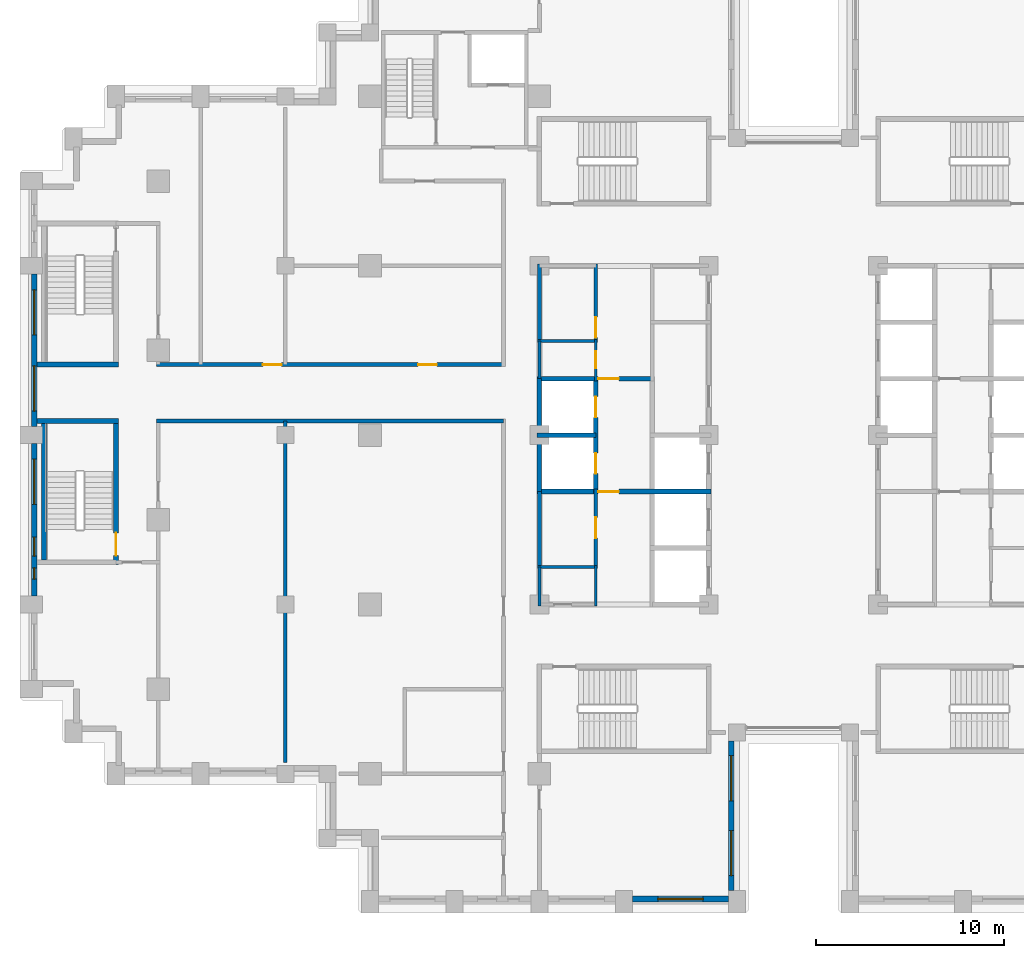
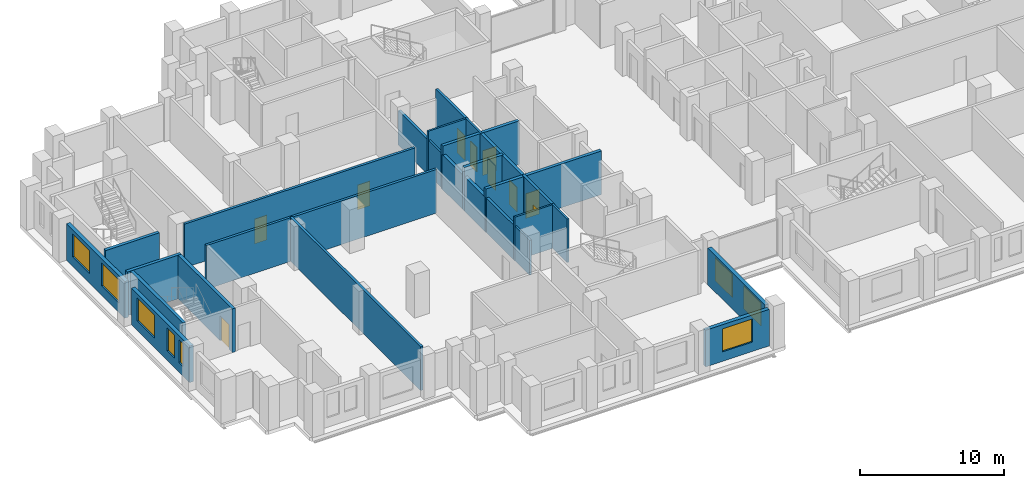
# One storey, part 7 of 16: 26 walls, 10 doors, 8 windows, 18 openings.
"""IFC4 building model written with IfcOpenShell, lengths in metres."""

from ifc_helpers import new_model, si_unit, direction, frame, frame_2d, origin, place, context, subcontext, project, spatial, rectangle, extrude, material, layer, layer_set, type_object, element, fill, save


model = new_model("IFC4")

# Units and contexts
model_context = context("Model", 3, precision=1e-05, world=origin(), true_north=direction((0.0, 1.0)))
body_context = subcontext(model_context, "Body", "Model", "MODEL_VIEW")
ifc_project = project(units=[si_unit("LENGTHUNIT", "METRE"), si_unit("AREAUNIT", "SQUARE_METRE"), si_unit("VOLUMEUNIT", "CUBIC_METRE"), si_unit("PLANEANGLEUNIT", "RADIAN"), si_unit("MASSUNIT", "GRAM", prefix="KILO")], contexts=[model_context])

# Site, building, storey
site_placement = place(None, origin())
site = spatial("IfcSite", under=ifc_project, at=site_placement, CompositionType="ELEMENT")
building_placement = place(site_placement, origin())
building = spatial("IfcBuilding", under=site, at=building_placement, Name="Corbelhall Arena Tower", CompositionType="ELEMENT")
storey_placement = place(building_placement, frame((0.0, 0.0, 76.0)))
storey = spatial("IfcBuildingStorey", under=building, at=storey_placement, Name="L11", CompositionType="ELEMENT", Elevation=76.0)

# Wall, openings, windows
ifc_material_1 = material(Name="Precast concrete C40/50 with granite facing", Category="masonry")
ifc_layer_1 = layer(ifc_material_1, 0.300048828125)
ifc_layer_set_1 = layer_set([ifc_layer_1], Name="EV-IW1 Infill panel 300")
wall_type_1 = type_object("IfcWallType", Name="EV-IW1 Infill panel 300", PredefinedType="SOLIDWALL", material=ifc_layer_set_1)
wall_1_placement = place(storey_placement, frame((-40.35009765625, 8.550048828125, 0.0), z_axis=(0.0, 0.0, 1.0), x_axis=(0.0, -1.0, 0.0)))
wall_1 = element("IfcWall", 1, at=wall_1_placement, inside=storey, type_object=wall_type_1, Name="Infill panel IW1", PredefinedType="SOLIDWALL", context=body_context, shape_type="SweptSolid", body=[
    extrude(rectangle(XDim=8.10009765625, YDim=0.300048828125, at=frame_2d((4.050048828125, 0.0))), origin(), (0.0, 0.0, 1.0), 3.10009765625),
])
opening_1_placement = place(wall_1_placement, frame((0.824951171875, 0.0, 0.800048828125)))
opening_1 = element("IfcOpeningElement", 2, at=opening_1_placement, cuts=wall_1, Name="Opening WN1", PredefinedType="OPENING", context=body_context, shape_type="SweptSolid", body=[
    extrude(rectangle(XDim=2.39990234375, YDim=1.949951171875, at=frame_2d((1.199951171875, 0.97509765625))), frame((0.0, 0.14990234375, 0.0), z_axis=(0.0, -1.0, 0.0), x_axis=(1.0, 0.0, 0.0)), (0.0, 0.0, 1.0), 0.300048828125),
])
opening_2_placement = place(wall_1_placement, frame((4.875, 0.0, 0.800048828125)))
opening_2 = element("IfcOpeningElement", 3, at=opening_2_placement, cuts=wall_1, Name="Opening WN1", PredefinedType="OPENING", context=body_context, shape_type="SweptSolid", body=[
    extrude(rectangle(XDim=2.39990234375, YDim=1.949951171875, at=frame_2d((1.199951171875, 0.97509765625))), frame((0.0, 0.14990234375, 0.0), z_axis=(0.0, -1.0, 0.0), x_axis=(1.0, 0.0, 0.0)), (0.0, 0.0, 1.0), 0.300048828125),
])
ifc_material_2 = material(Name="Aluminium black anodised", Category="aluminium")
window_type_1 = type_object("IfcWindowType", Name="EV-WN1 Office window", PartitioningType="SINGLE_PANEL", PredefinedType="WINDOW", material=ifc_material_2)
window_1_placement = place(opening_1_placement, origin())
window_1 = element("IfcWindow", 4, at=window_1_placement, inside=storey, type_object=window_type_1, Name="Window WN1", OverallHeight=1.949951171875, OverallWidth=2.39990234375, PartitioningType="SINGLE_PANEL", PredefinedType="WINDOW", context=body_context, shape_type="SweptSolid", body=[
    extrude(rectangle(XDim=2.39990234375, YDim=1.949951171875, at=frame_2d((1.199951171875, 0.97509765625))), frame((0.0, 0.030029296875, 0.0), z_axis=(0.0, -1.0, 0.0), x_axis=(1.0, 0.0, 0.0)), (0.0, 0.0, 1.0), 0.06005859375),
])
fill(opening_1, window_1)
window_2_placement = place(opening_2_placement, origin())
window_2 = element("IfcWindow", 5, at=window_2_placement, inside=storey, type_object=window_type_1, Name="Window WN1", OverallHeight=1.949951171875, OverallWidth=2.39990234375, PartitioningType="SINGLE_PANEL", PredefinedType="WINDOW", context=body_context, shape_type="SweptSolid", body=[
    extrude(rectangle(XDim=2.39990234375, YDim=1.949951171875, at=frame_2d((1.199951171875, 0.97509765625))), frame((0.0, 0.030029296875, 0.0), z_axis=(0.0, -1.0, 0.0), x_axis=(1.0, 0.0, 0.0)), (0.0, 0.0, 1.0), 0.06005859375),
])
fill(opening_2, window_2)

wall_2_placement = place(storey_placement, frame((-40.35009765625, -0.449951171875, 0.0), z_axis=(0.0, 0.0, 1.0), x_axis=(0.0, -1.0, 0.0)))
wall_2 = element("IfcWall", 6, at=wall_2_placement, inside=storey, type_object=wall_type_1, Name="Infill panel IW1", PredefinedType="SOLIDWALL", context=body_context, shape_type="SweptSolid", body=[
    extrude(rectangle(XDim=8.10009765625, YDim=0.300048828125, at=frame_2d((4.050048828125, 0.0))), origin(), (0.0, 0.0, 1.0), 3.10009765625),
])
opening_3_placement = place(wall_2_placement, frame((0.824951171875, 0.0, 0.800048828125)))
opening_3 = element("IfcOpeningElement", 7, at=opening_3_placement, cuts=wall_2, Name="Opening WN1", PredefinedType="OPENING", context=body_context, shape_type="SweptSolid", body=[
    extrude(rectangle(XDim=2.39990234375, YDim=1.949951171875, at=frame_2d((1.199951171875, 0.97509765625))), frame((0.0, 0.14990234375, 0.0), z_axis=(0.0, -1.0, 0.0), x_axis=(1.0, 0.0, 0.0)), (0.0, 0.0, 1.0), 0.300048828125),
])
opening_4_placement = place(wall_2_placement, frame((4.97509765625, 0.0, 0.800048828125)))
opening_4 = element("IfcOpeningElement", 8, at=opening_4_placement, cuts=wall_2, Name="Opening WN6", PredefinedType="OPENING", context=body_context, shape_type="SweptSolid", body=[
    extrude(rectangle(XDim=1.0, YDim=1.949951171875, at=frame_2d((0.5, 0.97509765625))), frame((0.0, 0.14990234375, 0.0), z_axis=(0.0, -1.0, 0.0), x_axis=(1.0, 0.0, 0.0)), (0.0, 0.0, 1.0), 0.300048828125),
])
opening_5_placement = place(wall_2_placement, frame((6.60009765625, 0.0, 0.800048828125)))
opening_5 = element("IfcOpeningElement", 9, at=opening_5_placement, cuts=wall_2, Name="Opening WN5", PredefinedType="OPENING", context=body_context, shape_type="SweptSolid", body=[
    extrude(rectangle(XDim=0.60009765625, YDim=1.949951171875, at=frame_2d((0.300048828125, 0.97509765625))), frame((0.0, 0.14990234375, 0.0), z_axis=(0.0, -1.0, 0.0), x_axis=(1.0, 0.0, 0.0)), (0.0, 0.0, 1.0), 0.300048828125),
])
window_3_placement = place(opening_3_placement, origin())
window_3 = element("IfcWindow", 10, at=window_3_placement, inside=storey, type_object=window_type_1, Name="Window WN1", OverallHeight=1.949951171875, OverallWidth=2.39990234375, PartitioningType="SINGLE_PANEL", PredefinedType="WINDOW", context=body_context, shape_type="SweptSolid", body=[
    extrude(rectangle(XDim=2.39990234375, YDim=1.949951171875, at=frame_2d((1.199951171875, 0.97509765625))), frame((0.0, 0.030029296875, 0.0), z_axis=(0.0, -1.0, 0.0), x_axis=(1.0, 0.0, 0.0)), (0.0, 0.0, 1.0), 0.06005859375),
])
fill(opening_3, window_3)
window_type_2 = type_object("IfcWindowType", Name="EV-WN5 Office window 600", PartitioningType="SINGLE_PANEL", PredefinedType="WINDOW", material=ifc_material_2)
window_4_placement = place(opening_5_placement, origin())
window_4 = element("IfcWindow", 11, at=window_4_placement, inside=storey, type_object=window_type_2, Name="Window WN5", OverallHeight=1.949951171875, OverallWidth=0.60009765625, PartitioningType="SINGLE_PANEL", PredefinedType="WINDOW", context=body_context, shape_type="SweptSolid", body=[
    extrude(rectangle(XDim=0.60009765625, YDim=1.949951171875, at=frame_2d((0.300048828125, 0.97509765625))), frame((0.0, 0.030029296875, 0.0), z_axis=(0.0, -1.0, 0.0), x_axis=(1.0, 0.0, 0.0)), (0.0, 0.0, 1.0), 0.06005859375),
])
fill(opening_5, window_4)
window_type_3 = type_object("IfcWindowType", Name="EV-WN6 Office window 1000", PartitioningType="SINGLE_PANEL", PredefinedType="WINDOW", material=ifc_material_2)
window_5_placement = place(opening_4_placement, origin())
window_5 = element("IfcWindow", 12, at=window_5_placement, inside=storey, type_object=window_type_3, Name="Window WN6", OverallHeight=1.949951171875, OverallWidth=1.0, PartitioningType="SINGLE_PANEL", PredefinedType="WINDOW", context=body_context, shape_type="SweptSolid", body=[
    extrude(rectangle(XDim=1.0, YDim=1.949951171875, at=frame_2d((0.5, 0.97509765625))), frame((0.0, 0.030029296875, 0.0), z_axis=(0.0, -1.0, 0.0), x_axis=(1.0, 0.0, 0.0)), (0.0, 0.0, 1.0), 0.06005859375),
])
fill(opening_4, window_5)

# Wall, opening, window
wall_3_placement = place(storey_placement, frame((-8.550048828125, -24.64990234375, 0.0), z_axis=(0.0, 0.0, 1.0), x_axis=(1.0, 0.0, 0.0)))
wall_3 = element("IfcWall", 13, at=wall_3_placement, inside=storey, type_object=wall_type_1, Name="Infill panel IW1", PredefinedType="SOLIDWALL", context=body_context, shape_type="SweptSolid", body=[
    extrude(rectangle(XDim=5.10009765625, YDim=0.300048828125, at=frame_2d((2.550048828125, 0.0))), origin(), (0.0, 0.0, 1.0), 3.10009765625),
])
opening_6_placement = place(wall_3_placement, frame((1.35009765625, 0.0, 0.800048828125)))
opening_6 = element("IfcOpeningElement", 14, at=opening_6_placement, cuts=wall_3, Name="Opening WN1", PredefinedType="OPENING", context=body_context, shape_type="SweptSolid", body=[
    extrude(rectangle(XDim=2.39990234375, YDim=1.949951171875, at=frame_2d((1.199951171875, 0.97509765625))), frame((0.0, 0.14990234375, 0.0), z_axis=(0.0, -1.0, 0.0), x_axis=(1.0, 0.0, 0.0)), (0.0, 0.0, 1.0), 0.300048828125),
])
window_6_placement = place(opening_6_placement, origin())
window_6 = element("IfcWindow", 15, at=window_6_placement, inside=storey, type_object=window_type_1, Name="Window WN1", OverallHeight=1.949951171875, OverallWidth=2.39990234375, PartitioningType="SINGLE_PANEL", PredefinedType="WINDOW", context=body_context, shape_type="SweptSolid", body=[
    extrude(rectangle(XDim=2.39990234375, YDim=1.949951171875, at=frame_2d((1.199951171875, 0.97509765625))), frame((0.0, 0.030029296875, 0.0), z_axis=(0.0, -1.0, 0.0), x_axis=(1.0, 0.0, 0.0)), (0.0, 0.0, 1.0), 0.06005859375),
])
fill(opening_6, window_6)

# Wall, openings, windows
wall_4_placement = place(storey_placement, frame((-3.300048828125, -24.199951171875, 0.0), z_axis=(0.0, 0.0, 1.0), x_axis=(0.0, 1.0, 0.0)))
wall_4 = element("IfcWall", 16, at=wall_4_placement, inside=storey, type_object=wall_type_1, Name="Infill panel IW1", PredefinedType="SOLIDWALL", context=body_context, shape_type="SweptSolid", body=[
    extrude(rectangle(XDim=7.949951171875, YDim=0.300048828125, at=frame_2d((3.97509765625, 0.0))), origin(), (0.0, 0.0, 1.0), 3.10009765625),
])
opening_7_placement = place(wall_4_placement, frame((0.78759765625, 0.0, 0.800048828125)))
opening_7 = element("IfcOpeningElement", 17, at=opening_7_placement, cuts=wall_4, Name="Opening WN1", PredefinedType="OPENING", context=body_context, shape_type="SweptSolid", body=[
    extrude(rectangle(XDim=2.39990234375, YDim=1.949951171875, at=frame_2d((1.199951171875, 0.97509765625))), frame((0.0, 0.14990234375, 0.0), z_axis=(0.0, -1.0, 0.0), x_axis=(1.0, 0.0, 0.0)), (0.0, 0.0, 1.0), 0.300048828125),
])
opening_8_placement = place(wall_4_placement, frame((4.762451171875, 0.0, 0.800048828125)))
opening_8 = element("IfcOpeningElement", 18, at=opening_8_placement, cuts=wall_4, Name="Opening WN1", PredefinedType="OPENING", context=body_context, shape_type="SweptSolid", body=[
    extrude(rectangle(XDim=2.39990234375, YDim=1.949951171875, at=frame_2d((1.199951171875, 0.97509765625))), frame((0.0, 0.14990234375, 0.0), z_axis=(0.0, -1.0, 0.0), x_axis=(1.0, 0.0, 0.0)), (0.0, 0.0, 1.0), 0.300048828125),
])
window_7_placement = place(opening_7_placement, origin())
window_7 = element("IfcWindow", 19, at=window_7_placement, inside=storey, type_object=window_type_1, Name="Window WN1", OverallHeight=1.949951171875, OverallWidth=2.39990234375, PartitioningType="SINGLE_PANEL", PredefinedType="WINDOW", context=body_context, shape_type="SweptSolid", body=[
    extrude(rectangle(XDim=2.39990234375, YDim=1.949951171875, at=frame_2d((1.199951171875, 0.97509765625))), frame((0.0, 0.030029296875, 0.0), z_axis=(0.0, -1.0, 0.0), x_axis=(1.0, 0.0, 0.0)), (0.0, 0.0, 1.0), 0.06005859375),
])
fill(opening_7, window_7)
window_8_placement = place(opening_8_placement, origin())
window_8 = element("IfcWindow", 20, at=window_8_placement, inside=storey, type_object=window_type_1, Name="Window WN1", OverallHeight=1.949951171875, OverallWidth=2.39990234375, PartitioningType="SINGLE_PANEL", PredefinedType="WINDOW", context=body_context, shape_type="SweptSolid", body=[
    extrude(rectangle(XDim=2.39990234375, YDim=1.949951171875, at=frame_2d((1.199951171875, 0.97509765625))), frame((0.0, 0.030029296875, 0.0), z_axis=(0.0, -1.0, 0.0), x_axis=(1.0, 0.0, 0.0)), (0.0, 0.0, 1.0), 0.06005859375),
])
fill(opening_8, window_8)

# Wall, openings, doors
ifc_material_3 = material(Name="Gypsum board on steel stud, acoustic", Category="steel")
ifc_layer_2 = layer(ifc_material_3, 0.199951171875)
ifc_layer_set_2 = layer_set([ifc_layer_2], Name="IN-W-DM200")
wall_type_2 = type_object("IfcWallType", Name="IN-W-DM200", PredefinedType="PARTITIONING", material=ifc_layer_set_2)
wall_5_placement = place(storey_placement, frame((-33.85009765625, 3.75, 0.0), z_axis=(0.0, 0.0, 1.0), x_axis=(1.0, 0.0, 0.0)))
wall_5 = element("IfcWall", 21, at=wall_5_placement, inside=storey, type_object=wall_type_2, Name="Partition 002", PredefinedType="PARTITIONING", context=body_context, shape_type="SweptSolid", body=[
    extrude(rectangle(XDim=18.4501953125, YDim=0.199951171875, at=frame_2d((9.22509765625, 0.0))), origin(), (0.0, 0.0, 1.0), 3.699951171875),
])
opening_9_placement = place(wall_5_placement, frame((13.89990234375, 0.0, 0.0)))
opening_9 = element("IfcOpeningElement", 22, at=opening_9_placement, cuts=wall_5, Name="Opening 01027", PredefinedType="OPENING", context=body_context, shape_type="SweptSolid", body=[
    extrude(rectangle(XDim=1.0, YDim=2.10009765625, at=frame_2d((0.5, 1.050048828125))), frame((0.0, 0.10009765625, 0.0), z_axis=(0.0, -1.0, 0.0), x_axis=(1.0, 0.0, 0.0)), (0.0, 0.0, 1.0), 0.199951171875),
])
opening_10_placement = place(wall_5_placement, frame((5.64990234375, 0.0, 0.0)))
opening_10 = element("IfcOpeningElement", 23, at=opening_10_placement, cuts=wall_5, Name="Opening 01041", PredefinedType="OPENING", context=body_context, shape_type="SweptSolid", body=[
    extrude(rectangle(XDim=1.0, YDim=2.10009765625, at=frame_2d((0.5, 1.050048828125))), frame((0.0, 0.10009765625, 0.0), z_axis=(0.0, -1.0, 0.0), x_axis=(1.0, 0.0, 0.0)), (0.0, 0.0, 1.0), 0.199951171875),
])
ifc_material_4 = material(Name="Steel door set", Category="steel")
door_type_1 = type_object("IfcDoorType", Name="IN-D-SW100", OperationType="NOTDEFINED", PredefinedType="DOOR", material=ifc_material_4)
door_1_placement = place(opening_9_placement, origin())
door_1 = element("IfcDoor", 24, at=door_1_placement, inside=storey, type_object=door_type_1, Name="Door 027", OperationType="SINGLE_SWING_RIGHT", OverallHeight=2.10009765625, OverallWidth=1.0, PredefinedType="DOOR", context=body_context, shape_type="SweptSolid", body=[
    extrude(rectangle(XDim=1.0, YDim=2.10009765625, at=frame_2d((0.5, 1.050048828125))), frame((0.0, 0.02490234375, 0.0), z_axis=(0.0, -1.0, 0.0), x_axis=(1.0, 0.0, 0.0)), (0.0, 0.0, 1.0), 0.050048828125),
])
fill(opening_9, door_1)
door_2_placement = place(opening_10_placement, origin())
door_2 = element("IfcDoor", 25, at=door_2_placement, inside=storey, type_object=door_type_1, Name="Door 041", OperationType="SINGLE_SWING_RIGHT", OverallHeight=2.10009765625, OverallWidth=1.0, PredefinedType="DOOR", context=body_context, shape_type="SweptSolid", body=[
    extrude(rectangle(XDim=1.0, YDim=2.10009765625, at=frame_2d((0.5, 1.050048828125))), frame((0.0, 0.02490234375, 0.0), z_axis=(0.0, -1.0, 0.0), x_axis=(1.0, 0.0, 0.0)), (0.0, 0.0, 1.0), 0.050048828125),
])
fill(opening_10, door_2)

# Walls
wall_6_placement = place(storey_placement, frame((-27.0, -17.39990234375, 0.0), z_axis=(0.0, 0.0, 1.0), x_axis=(0.0, 1.0, 0.0)))
element("IfcWall", 26, at=wall_6_placement, inside=storey, type_object=wall_type_2, Name="Partition 008", PredefinedType="PARTITIONING", context=body_context, shape_type="SweptSolid", body=[
    extrude(rectangle(XDim=18.14990234375, YDim=0.199951171875, at=frame_2d((9.074951171875, 0.0))), origin(), (0.0, 0.0, 1.0), 3.699951171875),
])
wall_7_placement = place(storey_placement, frame((-15.39990234375, 0.75, 0.0), z_axis=(0.0, 0.0, 1.0), x_axis=(-1.0, 0.0, 0.0)))
element("IfcWall", 27, at=wall_7_placement, inside=storey, type_object=wall_type_2, Name="Partition 010", PredefinedType="PARTITIONING", context=body_context, shape_type="SweptSolid", body=[
    extrude(rectangle(XDim=18.4501953125, YDim=0.199951171875, at=frame_2d((9.22509765625, 0.0))), origin(), (0.0, 0.0, 1.0), 3.699951171875),
])

# Wall, opening, door
ifc_material_5 = material(Name="Concrete block wall", Category="concrete")
ifc_layer_3 = layer(ifc_material_5, 0.199951171875)
ifc_layer_set_3 = layer_set([ifc_layer_3], Name="IN-W-RS200")
wall_type_3 = type_object("IfcWallType", Name="IN-W-RS200", PredefinedType="SOLIDWALL", material=ifc_layer_set_3)
wall_8_placement = place(storey_placement, frame((-10.5, -7.074951171875, 0.0), z_axis=(0.0, 0.0, 1.0), x_axis=(0.0, 1.0, 0.0)))
wall_8 = element("IfcWall", 28, at=wall_8_placement, inside=storey, type_object=wall_type_3, Name="Partition 047", PredefinedType="SOLIDWALL", context=body_context, shape_type="SweptSolid", body=[
    extrude(rectangle(XDim=4.199951171875, YDim=0.199951171875, at=frame_2d((2.10009765625, 0.0))), origin(), (0.0, 0.0, 1.0), 3.699951171875),
])
opening_11_placement = place(wall_8_placement, frame((1.60009765625, 0.0, 0.0)))
opening_11 = element("IfcOpeningElement", 29, at=opening_11_placement, cuts=wall_8, Name="Opening 01006", PredefinedType="OPENING", context=body_context, shape_type="SweptSolid", body=[
    extrude(rectangle(XDim=1.10009765625, YDim=2.10009765625, at=frame_2d((0.550048828125, 1.050048828125))), frame((0.0, 0.10009765625, 0.0), z_axis=(0.0, -1.0, 0.0), x_axis=(1.0, 0.0, 0.0)), (0.0, 0.0, 1.0), 0.199951171875),
])
door_type_2 = type_object("IfcDoorType", Name="IN-D-FD110", OperationType="NOTDEFINED", PredefinedType="DOOR", material=ifc_material_4)
door_3_placement = place(opening_11_placement, origin())
door_3 = element("IfcDoor", 30, at=door_3_placement, inside=storey, type_object=door_type_2, Name="Door 006", OperationType="SINGLE_SWING_LEFT", OverallHeight=2.10009765625, OverallWidth=1.10009765625, PredefinedType="DOOR", context=body_context, shape_type="SweptSolid", body=[
    extrude(rectangle(XDim=1.10009765625, YDim=2.10009765625, at=frame_2d((0.550048828125, 1.050048828125))), frame((0.0, 0.02490234375, 0.0), z_axis=(0.0, -1.0, 0.0), x_axis=(1.0, 0.0, 0.0)), (0.0, 0.0, 1.0), 0.050048828125),
])
fill(opening_11, door_3)

wall_9_placement = place(storey_placement, frame((-10.5, 4.925048828125, 0.0), z_axis=(0.0, 0.0, 1.0), x_axis=(0.0, 1.0, 0.0)))
wall_9 = element("IfcWall", 31, at=wall_9_placement, inside=storey, type_object=wall_type_3, Name="Partition 048", PredefinedType="SOLIDWALL", context=body_context, shape_type="SweptSolid", body=[
    extrude(rectangle(XDim=4.175048828125, YDim=0.199951171875, at=frame_2d((2.08740234375, 0.0))), origin(), (0.0, 0.0, 1.0), 3.699951171875),
])
opening_12_placement = place(wall_9_placement, frame((0.25, 0.0, 0.0)))
opening_12 = element("IfcOpeningElement", 32, at=opening_12_placement, cuts=wall_9, Name="Opening 01007", PredefinedType="OPENING", context=body_context, shape_type="SweptSolid", body=[
    extrude(rectangle(XDim=1.10009765625, YDim=2.10009765625, at=frame_2d((0.550048828125, 1.050048828125))), frame((0.0, 0.10009765625, 0.0), z_axis=(0.0, -1.0, 0.0), x_axis=(1.0, 0.0, 0.0)), (0.0, 0.0, 1.0), 0.199951171875),
])
door_4_placement = place(opening_12_placement, origin())
door_4 = element("IfcDoor", 33, at=door_4_placement, inside=storey, type_object=door_type_2, Name="Door 007", OperationType="SINGLE_SWING_RIGHT", OverallHeight=2.10009765625, OverallWidth=1.10009765625, PredefinedType="DOOR", context=body_context, shape_type="SweptSolid", body=[
    extrude(rectangle(XDim=1.10009765625, YDim=2.10009765625, at=frame_2d((0.550048828125, 1.050048828125))), frame((0.0, 0.02490234375, 0.0), z_axis=(0.0, -1.0, 0.0), x_axis=(1.0, 0.0, 0.0)), (0.0, 0.0, 1.0), 0.050048828125),
])
fill(opening_12, door_4)

# Walls
ifc_layer_4 = layer(ifc_material_5, 0.199951171875)
ifc_layer_set_4 = layer_set([ifc_layer_4], Name="IN-W-RS200 under beam 762 mm")
wall_type_4 = type_object("IfcWallType", Name="IN-W-RS200 under beam 762 mm", PredefinedType="SOLIDWALL", material=ifc_layer_set_4)
wall_10_placement = place(storey_placement, frame((-13.5, -7.0, 0.0), z_axis=(0.0, 0.0, 1.0), x_axis=(0.0, 1.0, 0.0)))
element("IfcWall", 34, at=wall_10_placement, inside=storey, type_object=wall_type_4, Name="Partition 044", PredefinedType="SOLIDWALL", context=body_context, shape_type="SweptSolid", body=[
    extrude(rectangle(XDim=4.0, YDim=0.199951171875, at=frame_2d((2.0, 0.0))), origin(), (0.0, 0.0, 1.0), 2.93798828125),
])
wall_11_placement = place(storey_placement, frame((-13.5, 5.0, 0.0), z_axis=(0.0, 0.0, 1.0), x_axis=(0.0, 1.0, 0.0)))
element("IfcWall", 35, at=wall_11_placement, inside=storey, type_object=wall_type_4, Name="Partition 045", PredefinedType="SOLIDWALL", context=body_context, shape_type="SweptSolid", body=[
    extrude(rectangle(XDim=4.10009765625, YDim=0.199951171875, at=frame_2d((2.050048828125, 0.0))), origin(), (0.0, 0.0, 1.0), 2.93798828125),
])
ifc_material_6 = material(Name="Concrete C40/50", Category="concrete")
ifc_layer_5 = layer(ifc_material_6, 0.25)
ifc_layer_set_5 = layer_set([ifc_layer_5], Name="IN-W-SH250")
wall_type_5 = type_object("IfcWallType", Name="IN-W-SH250", PredefinedType="SOLIDWALL", material=ifc_layer_set_5)
wall_12_placement = place(storey_placement, frame((-13.625, 0.0, 0.0), z_axis=(0.0, 0.0, 1.0), x_axis=(1.0, 0.0, 0.0)))
element("IfcWall", 36, at=wall_12_placement, inside=storey, type_object=wall_type_5, Name="Shaft wall 062", PredefinedType="SOLIDWALL", context=body_context, shape_type="SweptSolid", body=[
    extrude(rectangle(XDim=3.125, YDim=0.25, at=frame_2d((1.5625, 0.0))), origin(), (0.0, 0.0, 1.0), 3.699951171875),
])

# Wall, opening, door
wall_13_placement = place(storey_placement, frame((-13.625, 3.0, 0.0), z_axis=(0.0, 0.0, 1.0), x_axis=(1.0, 0.0, 0.0)))
wall_13 = element("IfcWall", 37, at=wall_13_placement, inside=storey, type_object=wall_type_5, Name="Shaft wall 063", PredefinedType="SOLIDWALL", context=body_context, shape_type="SweptSolid", body=[
    extrude(rectangle(XDim=6.125, YDim=0.25, at=frame_2d((3.0625, 0.0))), origin(), (0.0, 0.0, 1.0), 3.699951171875),
])
opening_13_placement = place(wall_13_placement, frame((3.25, 0.0, 0.0)))
opening_13 = element("IfcOpeningElement", 38, at=opening_13_placement, cuts=wall_13, Name="Opening 01004", PredefinedType="OPENING", context=body_context, shape_type="SweptSolid", body=[
    extrude(rectangle(XDim=1.10009765625, YDim=2.10009765625, at=frame_2d((0.550048828125, 1.050048828125))), frame((0.0, 0.125, 0.0), z_axis=(0.0, -1.0, 0.0), x_axis=(1.0, 0.0, 0.0)), (0.0, 0.0, 1.0), 0.25),
])
door_5_placement = place(opening_13_placement, origin())
door_5 = element("IfcDoor", 39, at=door_5_placement, inside=storey, type_object=door_type_2, Name="Door 004", OperationType="SINGLE_SWING_LEFT", OverallHeight=2.10009765625, OverallWidth=1.10009765625, PredefinedType="DOOR", context=body_context, shape_type="SweptSolid", body=[
    extrude(rectangle(XDim=1.10009765625, YDim=2.10009765625, at=frame_2d((0.550048828125, 1.050048828125))), frame((0.0, 0.02490234375, 0.0), z_axis=(0.0, -1.0, 0.0), x_axis=(1.0, 0.0, 0.0)), (0.0, 0.0, 1.0), 0.050048828125),
])
fill(opening_13, door_5)

wall_14_placement = place(storey_placement, frame((-13.625, -3.0, 0.0), z_axis=(0.0, 0.0, 1.0), x_axis=(1.0, 0.0, 0.0)))
wall_14 = element("IfcWall", 40, at=wall_14_placement, inside=storey, type_object=wall_type_5, Name="Shaft wall 065", PredefinedType="SOLIDWALL", context=body_context, shape_type="SweptSolid", body=[
    extrude(rectangle(XDim=9.25, YDim=0.25, at=frame_2d((4.625, 0.0))), origin(), (0.0, 0.0, 1.0), 3.699951171875),
])
opening_14_placement = place(wall_14_placement, frame((3.25, 0.0, 0.0)))
opening_14 = element("IfcOpeningElement", 41, at=opening_14_placement, cuts=wall_14, Name="Opening 01003", PredefinedType="OPENING", context=body_context, shape_type="SweptSolid", body=[
    extrude(rectangle(XDim=1.10009765625, YDim=2.10009765625, at=frame_2d((0.550048828125, 1.050048828125))), frame((0.0, 0.125, 0.0), z_axis=(0.0, -1.0, 0.0), x_axis=(1.0, 0.0, 0.0)), (0.0, 0.0, 1.0), 0.25),
])
door_6_placement = place(opening_14_placement, origin())
door_6 = element("IfcDoor", 42, at=door_6_placement, inside=storey, type_object=door_type_2, Name="Door 003", OperationType="SINGLE_SWING_RIGHT", OverallHeight=2.10009765625, OverallWidth=1.10009765625, PredefinedType="DOOR", context=body_context, shape_type="SweptSolid", body=[
    extrude(rectangle(XDim=1.10009765625, YDim=2.10009765625, at=frame_2d((0.550048828125, 1.050048828125))), frame((0.0, 0.02490234375, 0.0), z_axis=(0.0, -1.0, 0.0), x_axis=(1.0, 0.0, 0.0)), (0.0, 0.0, 1.0), 0.050048828125),
])
fill(opening_14, door_6)

# Wall, openings, doors
wall_15_placement = place(storey_placement, frame((-10.5, -3.125, 0.0), z_axis=(0.0, 0.0, 1.0), x_axis=(0.0, 1.0, 0.0)))
wall_15 = element("IfcWall", 43, at=wall_15_placement, inside=storey, type_object=wall_type_5, Name="Shaft wall 066", PredefinedType="SOLIDWALL", context=body_context, shape_type="SweptSolid", body=[
    extrude(rectangle(XDim=6.25, YDim=0.25, at=frame_2d((3.125, 0.0))), origin(), (0.0, 0.0, 1.0), 3.699951171875),
])
opening_15_placement = place(wall_15_placement, frame((1.074951171875, 0.0, 0.0)))
opening_15 = element("IfcOpeningElement", 44, at=opening_15_placement, cuts=wall_15, Name="Opening LD", PredefinedType="OPENING", context=body_context, shape_type="SweptSolid", body=[
    extrude(rectangle(XDim=1.10009765625, YDim=2.10009765625, at=frame_2d((0.550048828125, 1.050048828125))), frame((0.0, 0.125, 0.0), z_axis=(0.0, -1.0, 0.0), x_axis=(1.0, 0.0, 0.0)), (0.0, 0.0, 1.0), 0.25),
])
opening_16_placement = place(wall_15_placement, frame((4.074951171875, 0.0, 0.0)))
opening_16 = element("IfcOpeningElement", 45, at=opening_16_placement, cuts=wall_15, Name="Opening LD", PredefinedType="OPENING", context=body_context, shape_type="SweptSolid", body=[
    extrude(rectangle(XDim=1.10009765625, YDim=2.10009765625, at=frame_2d((0.550048828125, 1.050048828125))), frame((0.0, 0.125, 0.0), z_axis=(0.0, -1.0, 0.0), x_axis=(1.0, 0.0, 0.0)), (0.0, 0.0, 1.0), 0.25),
])
door_type_3 = type_object("IfcDoorType", Name="IN-D-LD110", OperationType="NOTDEFINED", PredefinedType="DOOR", material=ifc_material_4)
door_7_placement = place(opening_15_placement, origin())
door_7 = element("IfcDoor", 46, at=door_7_placement, inside=storey, type_object=door_type_3, Name="Landing door W3", OperationType="SLIDING_TO_LEFT", OverallHeight=2.10009765625, OverallWidth=1.10009765625, PredefinedType="DOOR", context=body_context, shape_type="SweptSolid", body=[
    extrude(rectangle(XDim=1.10009765625, YDim=2.10009765625, at=frame_2d((0.550048828125, 1.050048828125))), frame((0.0, 0.02490234375, 0.0), z_axis=(0.0, -1.0, 0.0), x_axis=(1.0, 0.0, 0.0)), (0.0, 0.0, 1.0), 0.050048828125),
])
fill(opening_15, door_7)
door_8_placement = place(opening_16_placement, origin())
door_8 = element("IfcDoor", 47, at=door_8_placement, inside=storey, type_object=door_type_3, Name="Landing door W4", OperationType="SLIDING_TO_LEFT", OverallHeight=2.10009765625, OverallWidth=1.10009765625, PredefinedType="DOOR", context=body_context, shape_type="SweptSolid", body=[
    extrude(rectangle(XDim=1.10009765625, YDim=2.10009765625, at=frame_2d((0.550048828125, 1.050048828125))), frame((0.0, 0.02490234375, 0.0), z_axis=(0.0, -1.0, 0.0), x_axis=(1.0, 0.0, 0.0)), (0.0, 0.0, 1.0), 0.050048828125),
])
fill(opening_16, door_8)

# Walls
ifc_layer_6 = layer(ifc_material_6, 0.25)
ifc_layer_set_6 = layer_set([ifc_layer_6], Name="IN-W-SH250 under beam 762 mm")
wall_type_6 = type_object("IfcWallType", Name="IN-W-SH250 under beam 762 mm", PredefinedType="SOLIDWALL", material=ifc_layer_set_6)
wall_16_placement = place(storey_placement, frame((-13.5, -3.0, 0.0), z_axis=(0.0, 0.0, 1.0), x_axis=(0.0, 1.0, 0.0)))
element("IfcWall", 48, at=wall_16_placement, inside=storey, type_object=wall_type_6, Name="Shaft wall 064", PredefinedType="SOLIDWALL", context=body_context, shape_type="SweptSolid", body=[
    extrude(rectangle(XDim=6.0, YDim=0.25, at=frame_2d((3.0, 0.0))), origin(), (0.0, 0.0, 1.0), 2.93798828125),
])
ifc_layer_7 = layer(ifc_material_6, 0.25)
ifc_layer_set_7 = layer_set([ifc_layer_7], Name="IN-W-ST250")
wall_type_7 = type_object("IfcWallType", Name="IN-W-ST250", PredefinedType="SOLIDWALL", material=ifc_layer_set_7)
wall_17_placement = place(storey_placement, frame((-40.199951171875, 3.75, 0.0), z_axis=(0.0, 0.0, 1.0), x_axis=(1.0, 0.0, 0.0)))
element("IfcWall", 49, at=wall_17_placement, inside=storey, type_object=wall_type_7, Name="Shaft wall 083", PredefinedType="SOLIDWALL", context=body_context, shape_type="SweptSolid", body=[
    extrude(rectangle(XDim=4.324951171875, YDim=0.25, at=frame_2d((2.16259765625, 0.0))), origin(), (0.0, 0.0, 1.0), 3.699951171875),
])

# Wall, opening, door
wall_18_placement = place(storey_placement, frame((-36.0, 0.75, 0.0), z_axis=(0.0, 0.0, 1.0), x_axis=(0.0, -1.0, 0.0)))
wall_18 = element("IfcWall", 50, at=wall_18_placement, inside=storey, type_object=wall_type_7, Name="Shaft wall 086", PredefinedType="SOLIDWALL", context=body_context, shape_type="SweptSolid", body=[
    extrude(rectangle(XDim=7.625, YDim=0.25, at=frame_2d((3.8125, 0.0))), origin(), (0.0, 0.0, 1.0), 3.699951171875),
])
opening_17_placement = place(wall_18_placement, frame((5.949951171875, 0.0, 0.0)))
opening_17 = element("IfcOpeningElement", 51, at=opening_17_placement, cuts=wall_18, Name="Opening 01020", PredefinedType="OPENING", context=body_context, shape_type="SweptSolid", body=[
    extrude(rectangle(XDim=1.199951171875, YDim=2.10009765625, at=frame_2d((0.60009765625, 1.050048828125))), frame((0.0, 0.125, 0.0), z_axis=(0.0, -1.0, 0.0), x_axis=(1.0, 0.0, 0.0)), (0.0, 0.0, 1.0), 0.25),
])
door_type_4 = type_object("IfcDoorType", Name="IN-D-ST120", OperationType="NOTDEFINED", PredefinedType="DOOR", material=ifc_material_4)
door_9_placement = place(opening_17_placement, origin())
door_9 = element("IfcDoor", 52, at=door_9_placement, inside=storey, type_object=door_type_4, Name="Door 020", OperationType="SINGLE_SWING_LEFT", OverallHeight=2.10009765625, OverallWidth=1.199951171875, PredefinedType="DOOR", context=body_context, shape_type="SweptSolid", body=[
    extrude(rectangle(XDim=1.199951171875, YDim=2.10009765625, at=frame_2d((0.60009765625, 1.050048828125))), frame((0.0, 0.02490234375, 0.0), z_axis=(0.0, -1.0, 0.0), x_axis=(1.0, 0.0, 0.0)), (0.0, 0.0, 1.0), 0.050048828125),
])
fill(opening_17, door_9)

# Walls
wall_19_placement = place(storey_placement, frame((-35.875, 0.75, 0.0), z_axis=(0.0, 0.0, 1.0), x_axis=(-1.0, 0.0, 0.0)))
element("IfcWall", 53, at=wall_19_placement, inside=storey, type_object=wall_type_7, Name="Shaft wall 088", PredefinedType="SOLIDWALL", context=body_context, shape_type="SweptSolid", body=[
    extrude(rectangle(XDim=4.324951171875, YDim=0.25, at=frame_2d((2.16259765625, 0.0))), origin(), (0.0, 0.0, 1.0), 3.699951171875),
])
wall_20_placement = place(storey_placement, frame((-39.824951171875, -6.625, 0.0), z_axis=(0.0, 0.0, 1.0), x_axis=(0.0, 1.0, 0.0)))
element("IfcWall", 54, at=wall_20_placement, inside=storey, type_object=wall_type_7, Name="Shaft wall SC2 facade side", PredefinedType="SOLIDWALL", context=body_context, shape_type="SweptSolid", body=[
    extrude(rectangle(XDim=7.25, YDim=0.25, at=frame_2d((3.625, 0.0))), origin(), (0.0, 0.0, 1.0), 3.699951171875),
])
ifc_material_7 = material(Name="Gypsum board on steel stud, moisture resistant", Category="steel")
ifc_layer_8 = layer(ifc_material_7, 0.14990234375)
ifc_layer_set_8 = layer_set([ifc_layer_8], Name="IN-W-WC150")
wall_type_8 = type_object("IfcWallType", Name="IN-W-WC150", PredefinedType="PARTITIONING", material=ifc_layer_set_8)
for number, where, z_axis, x_axis, name in (
    (55, (-13.60009765625, -7.0, 0.0), (0.0, 0.0, 1.0), (1.0, 0.0, 0.0), "Partition 111"),
    (56, (-13.60009765625, 5.0, 0.0), (0.0, 0.0, 1.0), (1.0, 0.0, 0.0), "Partition 112"),
):
    element("IfcWall", number, at=place(storey_placement, frame(where, z_axis=z_axis, x_axis=x_axis)), inside=storey, type_object=wall_type_8, Name=name, PredefinedType="PARTITIONING", context=body_context, shape_type="SweptSolid", body=[
        extrude(rectangle(XDim=3.10009765625, YDim=0.14990234375, at=frame_2d((1.550048828125, 0.0))), origin(), (0.0, 0.0, 1.0), 3.699951171875),
    ])
wall_21_placement = place(storey_placement, frame((-10.5, -9.074951171875, 0.0), z_axis=(0.0, 0.0, 1.0), x_axis=(0.0, 1.0, 0.0)))
element("IfcWall", 57, at=wall_21_placement, inside=storey, type_object=wall_type_8, Name="Partition 115", PredefinedType="PARTITIONING", context=body_context, shape_type="SweptSolid", body=[
    extrude(rectangle(XDim=2.14990234375, YDim=0.14990234375, at=frame_2d((1.074951171875, 0.0))), origin(), (0.0, 0.0, 1.0), 3.699951171875),
])

# Wall, opening, door
wall_22_placement = place(storey_placement, frame((-10.5, 2.875, 0.0), z_axis=(0.0, 0.0, 1.0), x_axis=(0.0, 1.0, 0.0)))
wall_22 = element("IfcWall", 58, at=wall_22_placement, inside=storey, type_object=wall_type_8, Name="Partition 117", PredefinedType="PARTITIONING", context=body_context, shape_type="SweptSolid", body=[
    extrude(rectangle(XDim=2.199951171875, YDim=0.14990234375, at=frame_2d((1.10009765625, 0.0))), origin(), (0.0, 0.0, 1.0), 3.699951171875),
])
opening_18_placement = place(wall_22_placement, frame((0.669921875, 0.0, 0.0)))
opening_18 = element("IfcOpeningElement", 59, at=opening_18_placement, cuts=wall_22, Name="Opening 01047", PredefinedType="OPENING", context=body_context, shape_type="SweptSolid", body=[
    extrude(rectangle(XDim=0.89990234375, YDim=2.10009765625, at=frame_2d((0.449951171875, 1.050048828125))), frame((0.0, 0.074951171875, 0.0), z_axis=(0.0, -1.0, 0.0), x_axis=(1.0, 0.0, 0.0)), (0.0, 0.0, 1.0), 0.14990234375),
])
ifc_material_8 = material(Name="Timber door set", Category="wood")
door_type_5 = type_object("IfcDoorType", Name="IN-D-SW90", OperationType="NOTDEFINED", PredefinedType="DOOR", material=ifc_material_8)
door_10_placement = place(opening_18_placement, origin())
door_10 = element("IfcDoor", 60, at=door_10_placement, inside=storey, type_object=door_type_5, Name="Door 047", OperationType="SINGLE_SWING_LEFT", OverallHeight=2.10009765625, OverallWidth=0.89990234375, PredefinedType="DOOR", context=body_context, shape_type="SweptSolid", body=[
    extrude(rectangle(XDim=0.89990234375, YDim=2.10009765625, at=frame_2d((0.449951171875, 1.050048828125))), frame((0.0, 0.02490234375, 0.0), z_axis=(0.0, -1.0, 0.0), x_axis=(1.0, 0.0, 0.0)), (0.0, 0.0, 1.0), 0.050048828125),
])
fill(opening_18, door_10)

# Walls
ifc_layer_9 = layer(ifc_material_7, 0.14990234375)
ifc_layer_set_9 = layer_set([ifc_layer_9], Name="IN-W-WC150 under beam 762 mm")
wall_type_9 = type_object("IfcWallType", Name="IN-W-WC150 under beam 762 mm", PredefinedType="PARTITIONING", material=ifc_layer_set_9)
wall_23_placement = place(storey_placement, frame((-13.5, -9.074951171875, 0.0), z_axis=(0.0, 0.0, 1.0), x_axis=(0.0, 1.0, 0.0)))
element("IfcWall", 61, at=wall_23_placement, inside=storey, type_object=wall_type_9, Name="Partition 113", PredefinedType="PARTITIONING", context=body_context, shape_type="SweptSolid", body=[
    extrude(rectangle(XDim=2.074951171875, YDim=0.14990234375, at=frame_2d((1.03759765625, 0.0))), origin(), (0.0, 0.0, 1.0), 2.93798828125),
])
wall_24_placement = place(storey_placement, frame((-13.5, 3.0, 0.0), z_axis=(0.0, 0.0, 1.0), x_axis=(0.0, 1.0, 0.0)))
element("IfcWall", 62, at=wall_24_placement, inside=storey, type_object=wall_type_9, Name="Partition 114", PredefinedType="PARTITIONING", context=body_context, shape_type="SweptSolid", body=[
    extrude(rectangle(XDim=2.0, YDim=0.14990234375, at=frame_2d((1.0, 0.0))), origin(), (0.0, 0.0, 1.0), 2.93798828125),
])

save(model, "model.ifc")
